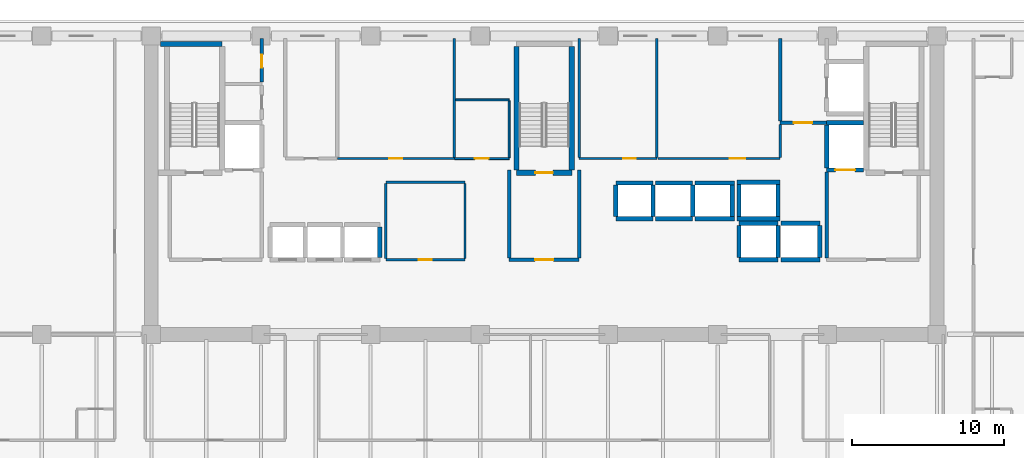
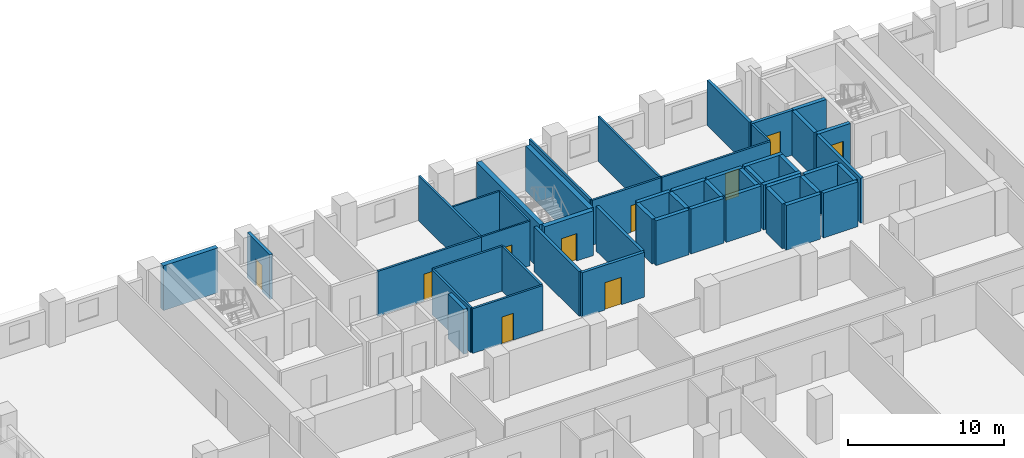
# One storey, part 7 of 14: 50 walls, 10 doors, 10 openings.
"""IFC4 building model written with IfcOpenShell, lengths in metres."""

import ifcopenshell
import ifcopenshell.guid

model = None  # the IFC model being written
_history = None  # IfcOwnerHistory: only IFC2X3 demands one
_inside = {}  # id of a spatial element -> (the spatial element, [elements in it])
_under = {}  # id of a project, library or spatial element -> (it, [spatial elements below it])
_declared = {}  # id of a project -> (the project, [libraries it declares])
_typed = {}  # id of a type object -> (the type object, [elements of that type])
_made_of = {}  # id of a material, layer set ... -> (it, [elements and type objects made of it])


def new_model(schema):
    """Start an empty IFC model of exactly this schema.

    Asked for "IFC4X3", IfcOpenShell would pick the latest addendum, in which some entities
    have other attributes; the version numbers below select the first issue.
    IFC2X3 requires an IfcOwnerHistory on every rooted entity: one is made here for all.
    """
    global model, _history
    if schema == "IFC4X3":
        model = ifcopenshell.file(schema_version=(4, 3, 0, 0))
    else:
        model = ifcopenshell.file(schema=schema)
    _inside.clear()
    _under.clear()
    _declared.clear()
    _typed.clear()
    _made_of.clear()
    _history = None
    if model.schema == "IFC2X3":
        org = make("IfcOrganization", Name="unknown")
        user = make(
            "IfcPersonAndOrganization",
            ThePerson=make("IfcPerson", FamilyName="unknown"),
            TheOrganization=org,
        )
        app = make(
            "IfcApplication",
            ApplicationDeveloper=org,
            Version="unknown",
            ApplicationFullName="unknown",
            ApplicationIdentifier="unknown",
        )
        _history = make(
            "IfcOwnerHistory",
            OwningUser=user,
            OwningApplication=app,
            ChangeAction="ADDED",
            CreationDate=0,
        )
    return model


def make(cls, **values):
    """One entity of the class cls with the attributes given. An attribute that is None is left unset."""
    return model.create_entity(
        cls, **{name: value for name, value in values.items() if value is not None}
    )


def rooted(cls, **values):
    """An entity with a GlobalId (a new one), such as an element, a storey or a relation."""
    return make(cls, GlobalId=ifcopenshell.guid.new(), OwnerHistory=_history, **values)


def si_unit(unit_type, name, prefix=None):
    """IfcSIUnit, for example si_unit("LENGTHUNIT", "METRE", prefix="MILLI")."""
    return make("IfcSIUnit", UnitType=unit_type, Prefix=prefix, Name=name)


def assignment(units):
    """IfcUnitAssignment: the units of a project."""
    return None if units is None else make("IfcUnitAssignment", Units=units)


def point(xyz):
    """IfcCartesianPoint."""
    return None if xyz is None else make("IfcCartesianPoint", Coordinates=xyz)


def direction(xyz):
    """IfcDirection."""
    return None if xyz is None else make("IfcDirection", DirectionRatios=xyz)


def frame(location, z_axis=None, x_axis=None):
    """IfcAxis2Placement3D, a coordinate frame: its origin and axes. An axis left out is left unset."""
    return make(
        "IfcAxis2Placement3D",
        Location=point(location),
        Axis=direction(z_axis),
        RefDirection=direction(x_axis),
    )


def frame_2d(location, x_axis=None):
    """IfcAxis2Placement2D, a coordinate frame in the plane: its origin and x axis."""
    return make(
        "IfcAxis2Placement2D", Location=point(location), RefDirection=direction(x_axis)
    )


def origin():
    """The frame at (0, 0, 0) with its axes left unset."""
    return frame((0.0, 0.0, 0.0))


def place(relative_to, where):
    """IfcLocalPlacement: puts the frame where relative to a parent placement (None: the world)."""
    return make(
        "IfcLocalPlacement", PlacementRelTo=relative_to, RelativePlacement=where
    )


def context(
    kind, dimensions, precision=None, world=None, true_north=None, identifier=None
):
    """IfcGeometricRepresentationContext, for example the 3D "Model" context."""
    return make(
        "IfcGeometricRepresentationContext",
        ContextIdentifier=identifier,
        ContextType=kind,
        CoordinateSpaceDimension=dimensions,
        Precision=precision,
        WorldCoordinateSystem=world,
        TrueNorth=true_north,
    )


def subcontext(parent, identifier, kind, view, scale=None):
    """IfcGeometricRepresentationSubContext, for example "Body" below "Model"."""
    return make(
        "IfcGeometricRepresentationSubContext",
        ContextIdentifier=identifier,
        ContextType=kind,
        ParentContext=parent,
        TargetScale=scale,
        TargetView=view,
    )


def project(units=None, contexts=None):
    """IfcProject with its units and contexts."""
    return rooted(
        "IfcProject",
        Name="project",
        RepresentationContexts=contexts,
        UnitsInContext=assignment(units),
    )


def spatial(cls, under=None, at=None, **own):
    """A site, building, storey or space (cls), placed at a placement, below another one or the project."""
    s = rooted(cls, ObjectPlacement=at, **own)
    if under is not None:
        _under.setdefault(under.id(), (under, []))[1].append(s)
    return s


def profile(cls, at=None, kind="AREA", **sizes):
    """A parametric profile (cls). Its sizes go by their IFC names, for example OverallWidth=200.0."""
    return make(cls, ProfileType=kind, Position=at, **sizes)


def rectangle(**sizes):
    """IfcRectangleProfileDef."""
    return profile("IfcRectangleProfileDef", **sizes)


def extrude(swept, where, along, depth):
    """IfcExtrudedAreaSolid: the profile swept, set in the frame where, extruded along a direction by depth."""
    return make(
        "IfcExtrudedAreaSolid",
        SweptArea=swept,
        Position=where,
        ExtrudedDirection=direction(along),
        Depth=depth,
    )


def shape(context_of_items, identifier, shape_type, items):
    """IfcShapeRepresentation: the items that make up one representation, for example the "Body"."""
    return make(
        "IfcShapeRepresentation",
        ContextOfItems=context_of_items,
        RepresentationIdentifier=identifier,
        RepresentationType=shape_type,
        Items=items,
    )


def material(Name=None, Category=None):
    """IfcMaterial."""
    return make("IfcMaterial", Name=Name, Category=Category)


def layer(
    of_material, thickness, ventilated=None, Name=None, Category=None, Priority=None
):
    """IfcMaterialLayer: one layer of a wall or slab, of a material (None: an air gap)."""
    return make(
        "IfcMaterialLayer",
        Material=of_material,
        LayerThickness=thickness,
        IsVentilated=ventilated,
        Name=Name,
        Category=Category,
        Priority=Priority,
    )


def layer_set(layers, Name=None):
    """IfcMaterialLayerSet."""
    return make("IfcMaterialLayerSet", MaterialLayers=layers, LayerSetName=Name)


def made_of(thing, what):
    """Note that an element or type object is made of a material, layer set ...; save() writes the relation."""
    if what is not None:
        _made_of.setdefault(what.id(), (what, []))[1].append(thing)
    return thing


def type_object(cls, material=None, **own):
    """A type object (cls), such as IfcWallType, which elements share."""
    return made_of(rooted(cls, **own), material)


def element(
    cls,
    number,
    at=None,
    inside=None,
    cuts=None,
    type_object=None,
    material=None,
    context=None,
    identifier="Body",
    shape_type=None,
    held_by="IfcProductDefinitionShape",
    body=None,
    shapes=None,
    **own,
):
    """One element of the class cls, such as IfcWall. Its Tag is "e" and its number.

    at: its placement. inside: the storey or other place that contains it. cuts: it is an
    opening in that element (IfcRelVoidsElement). A single representation is given by context,
    identifier, shape_type and body (its items); several are given by shapes. held_by: the class
    of the entity that holds the representations. save() writes the other relations.
    """
    e = rooted(cls, Tag="e%d" % number, ObjectPlacement=at, **own)
    if body is not None:
        shapes = [shape(context, identifier, shape_type, body)]
    if shapes is not None:
        e.Representation = make(held_by, Representations=shapes)
    if inside is not None:
        _inside.setdefault(inside.id(), (inside, []))[1].append(e)
    if cuts is not None:
        rooted(
            "IfcRelVoidsElement", RelatingBuildingElement=cuts, RelatedOpeningElement=e
        )
    if type_object is not None:
        _typed.setdefault(type_object.id(), (type_object, []))[1].append(e)
    return made_of(e, material)


def fill(opening, filler):
    """IfcRelFillsElement: the door or window that sits in an opening."""
    return rooted(
        "IfcRelFillsElement",
        RelatingOpeningElement=opening,
        RelatedBuildingElement=filler,
    )


def aggregate(whole, parts):
    """IfcRelAggregates: a whole, such as a stair, and the parts it consists of."""
    return rooted("IfcRelAggregates", RelatingObject=whole, RelatedObjects=parts)


def save(model, path):
    """Write the relations noted so far, then the file.

    IfcRelAggregates (storeys below a building ...), IfcRelContainedInSpatialStructure (elements
    in a storey), IfcRelDefinesByType, IfcRelAssociatesMaterial and IfcRelDeclares: one each for
    every whole, place, type object, material and project.
    """
    for whole, parts in _under.values():
        aggregate(whole, parts)
    for where, things in _inside.values():
        rooted(
            "IfcRelContainedInSpatialStructure",
            RelatedElements=things,
            RelatingStructure=where,
        )
    for kind, things in _typed.values():
        rooted("IfcRelDefinesByType", RelatedObjects=things, RelatingType=kind)
    for what, things in _made_of.values():
        rooted("IfcRelAssociatesMaterial", RelatedObjects=things, RelatingMaterial=what)
    for by, libraries in _declared.values():
        rooted("IfcRelDeclares", RelatingContext=by, RelatedDefinitions=libraries)
    model.write(path)


model = new_model("IFC4")

# Units and contexts
model_context = context("Model", 3, precision=1e-05, world=origin(), true_north=direction((0.0, 1.0)))
body_context = subcontext(model_context, "Body", "Model", "MODEL_VIEW")
ifc_project = project(units=[si_unit("LENGTHUNIT", "METRE"), si_unit("AREAUNIT", "SQUARE_METRE"), si_unit("VOLUMEUNIT", "CUBIC_METRE"), si_unit("PLANEANGLEUNIT", "RADIAN"), si_unit("MASSUNIT", "GRAM", prefix="KILO")], contexts=[model_context])

# Site, building, storey
site_placement = place(None, origin())
site = spatial("IfcSite", under=ifc_project, at=site_placement, CompositionType="ELEMENT")
building_placement = place(site_placement, origin())
building = spatial("IfcBuilding", under=site, at=building_placement, Name="Kaelvorn Grand Hotel", CompositionType="ELEMENT")
storey_placement = place(building_placement, frame((0.0, 0.0, 85.550048828125)))
storey = spatial("IfcBuildingStorey", under=building, at=storey_placement, Name="L19", CompositionType="ELEMENT", Elevation=85.550048828125)

# Wall, opening, door
ifc_material_1 = material(Name="Moisture-Resistant Tile & Stud Board")
ifc_layer_1 = layer(ifc_material_1, 0.125)
ifc_layer_set_1 = layer_set([ifc_layer_1], Name="Moisture-Resistant Tile & Stud Board")
wall_type_1 = type_object("IfcWallType", Name="WL-PART-125-WET", PredefinedType="PARTITIONING", material=ifc_layer_set_1)
wall_1_placement = place(storey_placement, frame((36.110107421875, 40.949951171875, 0.0), z_axis=(0.0, 0.0, 1.0), x_axis=(1.0, 0.0, 0.0)))
wall_1 = element("IfcWall", 1, at=wall_1_placement, inside=storey, type_object=wall_type_1, Name="L19 Accessible WC S Partition", PredefinedType="PARTITIONING", context=body_context, shape_type="SweptSolid", body=[
    extrude(rectangle(XDim=3.58984375, YDim=0.125, at=frame_2d((1.794921875, 0.0))), origin(), (0.0, 0.0, 1.0), 3.510009765625),
])
opening_1_placement = place(wall_1_placement, frame((1.340087890625, 0.0, 0.0)))
opening_1 = element("IfcOpeningElement", 2, at=opening_1_placement, cuts=wall_1, Name="Opening DI4", PredefinedType="OPENING", context=body_context, shape_type="SweptSolid", body=[
    extrude(rectangle(XDim=0.89990234375, YDim=2.10009765625, at=frame_2d((0.449951171875, 1.050048828125))), frame((0.0, 0.072509765625, 0.0), z_axis=(0.0, -1.0, 0.0), x_axis=(1.0, 0.0, 0.0)), (0.0, 0.0, 1.0), 0.14501953125),
])
ifc_material_2 = material(Name="Timber Veneer Leaf", Category="wood")
door_type_1 = type_object("IfcDoorType", Name="DR-INT-BATH-900x2100", OperationType="NOTDEFINED", PredefinedType="DOOR", material=ifc_material_2)
door_1_placement = place(opening_1_placement, origin())
door_1 = element("IfcDoor", 3, at=door_1_placement, inside=storey, type_object=door_type_1, Name="L19 Accessible WC Door", OperationType="SINGLE_SWING_LEFT", OverallHeight=2.10009765625, OverallWidth=0.89990234375, PredefinedType="DOOR", context=body_context, shape_type="SweptSolid", body=[
    extrude(rectangle(XDim=0.89990234375, YDim=2.10009765625, at=frame_2d((0.449951171875, 1.050048828125))), frame((0.0, 0.02490234375, 0.0), z_axis=(0.0, -1.0, 0.0), x_axis=(1.0, 0.0, 0.0)), (0.0, 0.0, 1.0), 0.050048828125),
])
fill(opening_1, door_1)

# Walls
wall_2_placement = place(storey_placement, frame((36.179931640625, 44.800048828125, 0.0), z_axis=(0.0, 0.0, 1.0), x_axis=(1.0, 0.0, 0.0)))
element("IfcWall", 4, at=wall_2_placement, inside=storey, type_object=wall_type_1, Name="L19 Accessible WC N Partition", PredefinedType="PARTITIONING", context=body_context, shape_type="SweptSolid", body=[
    extrude(rectangle(XDim=3.52001953125, YDim=0.125, at=frame_2d((1.760009765625, 0.0))), origin(), (0.0, 0.0, 1.0), 3.510009765625),
])
wall_3_placement = place(storey_placement, frame((39.699951171875, 41.017578125, 0.0), z_axis=(0.0, 0.0, 1.0), x_axis=(0.0, 1.0, 0.0)))
element("IfcWall", 5, at=wall_3_placement, inside=storey, type_object=wall_type_1, Name="L19 Accessible WC E Partition", PredefinedType="PARTITIONING", context=body_context, shape_type="SweptSolid", body=[
    extrude(rectangle(XDim=3.71484375, YDim=0.125, at=frame_2d((1.857421875, 0.0))), origin(), (0.0, 0.0, 1.0), 3.510009765625),
])

# Wall, opening, door
ifc_material_3 = material(Name="Acoustic Gypsum & Stud Partition")
ifc_layer_2 = layer(ifc_material_3, 0.14990234375)
ifc_layer_set_2 = layer_set([ifc_layer_2], Name="Acoustic Gypsum & Stud Partition")
wall_type_2 = type_object("IfcWallType", Name="WL-PART-150-EI60", PredefinedType="PARTITIONING", material=ifc_layer_set_2)
wall_4_placement = place(storey_placement, frame((31.60009765625, 34.300048828125, 0.0), z_axis=(0.0, 0.0, 1.0), x_axis=(1.0, 0.0, 0.0)))
wall_4 = element("IfcWall", 6, at=wall_4_placement, inside=storey, type_object=wall_type_2, Name="L19 Core Telecoms & BMS Server Room S Partition", PredefinedType="PARTITIONING", context=body_context, shape_type="SweptSolid", body=[
    extrude(rectangle(XDim=5.199951171875, YDim=0.14990234375, at=frame_2d((2.60009765625, 0.0))), origin(), (0.0, 0.0, 1.0), 3.510009765625),
])
opening_2_placement = place(wall_4_placement, frame((2.175048828125, 0.0, 0.0)))
opening_2 = element("IfcOpeningElement", 7, at=opening_2_placement, cuts=wall_4, Name="Opening DI7", PredefinedType="OPENING", context=body_context, shape_type="SweptSolid", body=[
    extrude(rectangle(XDim=0.85009765625, YDim=2.10009765625, at=frame_2d((0.425048828125, 1.050048828125))), frame((0.0, 0.0849609375, 0.0), z_axis=(0.0, -1.0, 0.0), x_axis=(1.0, 0.0, 0.0)), (0.0, 0.0, 1.0), 0.169921875),
])
ifc_material_4 = material(Name="Powder-Coated Steel Leaf", Category="steel")
door_type_2 = type_object("IfcDoorType", Name="DR-INT-RISER-850x2100", OperationType="NOTDEFINED", PredefinedType="DOOR", material=ifc_material_4)
door_2_placement = place(opening_2_placement, origin())
door_2 = element("IfcDoor", 8, at=door_2_placement, inside=storey, type_object=door_type_2, Name="L19 Core Telecoms & BMS Server Room Door", OperationType="SINGLE_SWING_RIGHT", OverallHeight=2.10009765625, OverallWidth=0.85009765625, PredefinedType="DOOR", context=body_context, shape_type="SweptSolid", body=[
    extrude(rectangle(XDim=0.85009765625, YDim=2.10009765625, at=frame_2d((0.425048828125, 1.050048828125))), frame((0.0, 0.02490234375, 0.0), z_axis=(0.0, -1.0, 0.0), x_axis=(1.0, 0.0, 0.0)), (0.0, 0.0, 1.0), 0.050048828125),
])
fill(opening_2, door_2)

# Walls
wall_5_placement = place(storey_placement, frame((31.60009765625, 39.39990234375, 0.0), z_axis=(0.0, 0.0, 1.0), x_axis=(1.0, 0.0, 0.0)))
element("IfcWall", 9, at=wall_5_placement, inside=storey, type_object=wall_type_2, Name="L19 Core Telecoms & BMS Server Room N Partition", PredefinedType="PARTITIONING", context=body_context, shape_type="SweptSolid", body=[
    extrude(rectangle(XDim=5.199951171875, YDim=0.14990234375, at=frame_2d((2.60009765625, 0.0))), origin(), (0.0, 0.0, 1.0), 3.510009765625),
])
for number, where, z_axis, x_axis, name in (
    (10, (31.60009765625, 34.3798828125, 0.0), (0.0, 0.0, 1.0), (0.0, 1.0, 0.0), "L19 Core Telecoms & BMS Server Room W Partition"),
    (11, (36.800048828125, 34.3798828125, 0.0), (0.0, 0.0, 1.0), (0.0, 1.0, 0.0), "L19 Core Telecoms & BMS Server Room E Partition"),
):
    element("IfcWall", number, at=place(storey_placement, frame(where, z_axis=z_axis, x_axis=x_axis)), inside=storey, type_object=wall_type_2, Name=name, PredefinedType="PARTITIONING", context=body_context, shape_type="SweptSolid", body=[
        extrude(rectangle(XDim=4.940185546875, YDim=0.14990234375, at=frame_2d((2.47021484375, 0.0))), origin(), (0.0, 0.0, 1.0), 3.510009765625),
    ])

# Wall, opening, door
wall_6_placement = place(storey_placement, frame((28.409912109375, 40.949951171875, 0.0), z_axis=(0.0, 0.0, 1.0), x_axis=(1.0, 0.0, 0.0)))
wall_6 = element("IfcWall", 12, at=wall_6_placement, inside=storey, type_object=wall_type_2, Name="L19 Housekeeping & Linen Room S Partition", PredefinedType="PARTITIONING", context=body_context, shape_type="SweptSolid", body=[
    extrude(rectangle(XDim=7.690185546875, YDim=0.14990234375, at=frame_2d((3.84521484375, 0.0))), origin(), (0.0, 0.0, 1.0), 3.510009765625),
])
opening_3_placement = place(wall_6_placement, frame((3.4150390625, 0.0, 0.0)))
opening_3 = element("IfcOpeningElement", 13, at=opening_3_placement, cuts=wall_6, Name="Opening DI7", PredefinedType="OPENING", context=body_context, shape_type="SweptSolid", body=[
    extrude(rectangle(XDim=0.85009765625, YDim=2.10009765625, at=frame_2d((0.425048828125, 1.050048828125))), frame((0.0, 0.0849609375, 0.0), z_axis=(0.0, -1.0, 0.0), x_axis=(1.0, 0.0, 0.0)), (0.0, 0.0, 1.0), 0.169921875),
])
door_3_placement = place(opening_3_placement, origin())
door_3 = element("IfcDoor", 14, at=door_3_placement, inside=storey, type_object=door_type_2, Name="L19 Housekeeping & Linen Room Door", OperationType="SINGLE_SWING_RIGHT", OverallHeight=2.10009765625, OverallWidth=0.85009765625, PredefinedType="DOOR", context=body_context, shape_type="SweptSolid", body=[
    extrude(rectangle(XDim=0.85009765625, YDim=2.10009765625, at=frame_2d((0.425048828125, 1.050048828125))), frame((0.0, 0.02490234375, 0.0), z_axis=(0.0, -1.0, 0.0), x_axis=(1.0, 0.0, 0.0)), (0.0, 0.0, 1.0), 0.050048828125),
])
fill(opening_3, door_3)

# Wall
wall_7_placement = place(storey_placement, frame((36.10009765625, 41.030029296875, 0.0), z_axis=(0.0, 0.0, 1.0), x_axis=(0.0, 1.0, 0.0)))
element("IfcWall", 15, at=wall_7_placement, inside=storey, type_object=wall_type_2, Name="L19 Housekeeping & Linen Room E Partition", PredefinedType="PARTITIONING", context=body_context, shape_type="SweptSolid", body=[
    extrude(rectangle(XDim=7.820068359375, YDim=0.14990234375, at=frame_2d((3.91015625, 0.0))), origin(), (0.0, 0.0, 1.0), 3.510009765625),
])

# Wall, opening, door
wall_8_placement = place(storey_placement, frame((44.300048828125, 40.949951171875, 0.0), z_axis=(0.0, 0.0, 1.0), x_axis=(1.0, 0.0, 0.0)))
wall_8 = element("IfcWall", 16, at=wall_8_placement, inside=storey, type_object=wall_type_2, Name="L19 Laundry Chute Vestibule S Partition", PredefinedType="PARTITIONING", context=body_context, shape_type="SweptSolid", body=[
    extrude(rectangle(XDim=5.099853515625, YDim=0.14990234375, at=frame_2d((2.5498046875, 0.0))), origin(), (0.0, 0.0, 1.0), 3.510009765625),
])
opening_4_placement = place(wall_8_placement, frame((2.875, 0.0, 0.0)))
opening_4 = element("IfcOpeningElement", 17, at=opening_4_placement, cuts=wall_8, Name="Opening DI7", PredefinedType="OPENING", context=body_context, shape_type="SweptSolid", body=[
    extrude(rectangle(XDim=0.85009765625, YDim=2.10009765625, at=frame_2d((0.425048828125, 1.050048828125))), frame((0.0, 0.0849609375, 0.0), z_axis=(0.0, -1.0, 0.0), x_axis=(1.0, 0.0, 0.0)), (0.0, 0.0, 1.0), 0.169921875),
])
door_4_placement = place(opening_4_placement, origin())
door_4 = element("IfcDoor", 18, at=door_4_placement, inside=storey, type_object=door_type_2, Name="L19 Laundry Chute Vestibule Door", OperationType="SINGLE_SWING_RIGHT", OverallHeight=2.10009765625, OverallWidth=0.85009765625, PredefinedType="DOOR", context=body_context, shape_type="SweptSolid", body=[
    extrude(rectangle(XDim=0.85009765625, YDim=2.10009765625, at=frame_2d((0.425048828125, 1.050048828125))), frame((0.0, 0.02490234375, 0.0), z_axis=(0.0, -1.0, 0.0), x_axis=(1.0, 0.0, 0.0)), (0.0, 0.0, 1.0), 0.050048828125),
])
fill(opening_4, door_4)

# Walls
for number, where, z_axis, x_axis, name in (
    (19, (44.300048828125, 41.030029296875, 0.0), (0.0, 0.0, 1.0), (0.0, 1.0, 0.0), "L19 Laundry Chute Vestibule W Partition"),
    (20, (49.39990234375, 41.030029296875, 0.0), (0.0, 0.0, 1.0), (0.0, 1.0, 0.0), "L19 Laundry Chute Vestibule E Partition"),
):
    element("IfcWall", number, at=place(storey_placement, frame(where, z_axis=z_axis, x_axis=x_axis)), inside=storey, type_object=wall_type_2, Name=name, PredefinedType="PARTITIONING", context=body_context, shape_type="SweptSolid", body=[
        extrude(rectangle(XDim=7.820068359375, YDim=0.14990234375, at=frame_2d((3.91015625, 0.0))), origin(), (0.0, 0.0, 1.0), 3.510009765625),
    ])

# Wall, opening, door
wall_9_placement = place(storey_placement, frame((49.47998046875, 40.949951171875, 0.0), z_axis=(0.0, 0.0, 1.0), x_axis=(1.0, 0.0, 0.0)))
wall_9 = element("IfcWall", 21, at=wall_9_placement, inside=storey, type_object=wall_type_2, Name="L19 Butler Servery Pantry S Partition", PredefinedType="PARTITIONING", context=body_context, shape_type="SweptSolid", body=[
    extrude(rectangle(XDim=8.02001953125, YDim=0.14990234375, at=frame_2d((4.010009765625, 0.0))), origin(), (0.0, 0.0, 1.0), 3.510009765625),
])
opening_5_placement = place(wall_9_placement, frame((4.719970703125, 0.0, 0.0)))
opening_5 = element("IfcOpeningElement", 22, at=opening_5_placement, cuts=wall_9, Name="Opening DI3", PredefinedType="OPENING", context=body_context, shape_type="SweptSolid", body=[
    extrude(rectangle(XDim=1.0, YDim=2.14990234375, at=frame_2d((0.5, 1.074951171875))), frame((0.0, 0.0849609375, 0.0), z_axis=(0.0, -1.0, 0.0), x_axis=(1.0, 0.0, 0.0)), (0.0, 0.0, 1.0), 0.169921875),
])
ifc_material_5 = material(Name="Timber Veneer Fire Leaf", Category="wood")
door_type_3 = type_object("IfcDoorType", Name="DR-INT-GUEST-1000x2150", OperationType="NOTDEFINED", PredefinedType="DOOR", material=ifc_material_5)
door_5_placement = place(opening_5_placement, origin())
door_5 = element("IfcDoor", 23, at=door_5_placement, inside=storey, type_object=door_type_3, Name="L19 Butler Servery Pantry Door", OperationType="SINGLE_SWING_LEFT", OverallHeight=2.14990234375, OverallWidth=1.0, PredefinedType="DOOR", context=body_context, shape_type="SweptSolid", body=[
    extrude(rectangle(XDim=1.0, YDim=2.14990234375, at=frame_2d((0.5, 1.074951171875))), frame((0.0, 0.02490234375, 0.0), z_axis=(0.0, -1.0, 0.0), x_axis=(1.0, 0.0, 0.0)), (0.0, 0.0, 1.0), 0.050048828125),
])
fill(opening_5, door_5)

# Walls
wall_10_placement = place(storey_placement, frame((57.5, 41.030029296875, 0.0), z_axis=(0.0, 0.0, 1.0), x_axis=(0.0, 1.0, 0.0)))
element("IfcWall", 24, at=wall_10_placement, inside=storey, type_object=wall_type_2, Name="L19 Butler Servery Pantry E Partition", PredefinedType="PARTITIONING", context=body_context, shape_type="SweptSolid", body=[
    extrude(rectangle(XDim=2.155029296875, YDim=0.14990234375, at=frame_2d((1.07763671875, 0.0))), origin(), (0.0, 0.0, 1.0), 3.510009765625),
])
ifc_material_6 = material(Name="Concrete C40/50", Category="concrete")
ifc_layer_3 = layer(ifc_material_6, 0.219970703125)
ifc_layer_set_3 = layer_set([ifc_layer_3], Name="Concrete C40/50")
wall_type_3 = type_object("IfcWallType", Name="WL-PART-220-EI120", PredefinedType="PARTITIONING", material=ifc_layer_set_3)
wall_11_placement = place(storey_placement, frame((60.550048828125, 34.4150390625, 0.0), z_axis=(0.0, 0.0, 1.0), x_axis=(0.0, 1.0, 0.0)))
element("IfcWall", 25, at=wall_11_placement, inside=storey, type_object=wall_type_3, Name="L19 Firefighting Lift Lobby 2 W Partition", PredefinedType="PARTITIONING", context=body_context, shape_type="SweptSolid", body=[
    extrude(rectangle(XDim=5.639892578125, YDim=0.219970703125, at=frame_2d((2.81982421875, 0.0))), origin(), (0.0, 0.0, 1.0), 3.510009765625),
])

# Wall, opening, door
wall_12_placement = place(storey_placement, frame((39.699951171875, 34.300048828125, 0.0), z_axis=(0.0, 0.0, 1.0), x_axis=(1.0, 0.0, 0.0)))
wall_12 = element("IfcWall", 26, at=wall_12_placement, inside=storey, type_object=wall_type_3, Name="L19 Central Stair Escape Vestibule S Partition", PredefinedType="PARTITIONING", context=body_context, shape_type="SweptSolid", body=[
    extrude(rectangle(XDim=4.60009765625, YDim=0.219970703125, at=frame_2d((2.300048828125, 0.0))), origin(), (0.0, 0.0, 1.0), 3.510009765625),
])
opening_6_placement = place(wall_12_placement, frame((1.699951171875, 0.0, 0.0)))
opening_6 = element("IfcOpeningElement", 27, at=opening_6_placement, cuts=wall_12, Name="Opening DI2", PredefinedType="OPENING", context=body_context, shape_type="SweptSolid", body=[
    extrude(rectangle(XDim=1.199951171875, YDim=2.14990234375, at=frame_2d((0.60009765625, 1.074951171875))), frame((0.0, 0.1201171875, 0.0), z_axis=(0.0, -1.0, 0.0), x_axis=(1.0, 0.0, 0.0)), (0.0, 0.0, 1.0), 0.239990234375),
])
door_type_4 = type_object("IfcDoorType", Name="DR-INT-FFLOB-1200x2150", OperationType="NOTDEFINED", PredefinedType="DOOR", material=ifc_material_5)
door_6_placement = place(opening_6_placement, origin())
door_6 = element("IfcDoor", 28, at=door_6_placement, inside=storey, type_object=door_type_4, Name="L19 Central Stair Escape Vestibule Door", OperationType="SINGLE_SWING_RIGHT", OverallHeight=2.14990234375, OverallWidth=1.199951171875, PredefinedType="DOOR", context=body_context, shape_type="SweptSolid", body=[
    extrude(rectangle(XDim=1.199951171875, YDim=2.14990234375, at=frame_2d((0.60009765625, 1.074951171875))), frame((0.0, 0.02490234375, 0.0), z_axis=(0.0, -1.0, 0.0), x_axis=(1.0, 0.0, 0.0)), (0.0, 0.0, 1.0), 0.050048828125),
])
fill(opening_6, door_6)

# Walls
for number, where, z_axis, x_axis, name in (
    (29, (39.699951171875, 34.4150390625, 0.0), (0.0, 0.0, 1.0), (0.0, 1.0, 0.0), "L19 Central Stair Escape Vestibule W Partition"),
    (30, (44.300048828125, 34.4150390625, 0.0), (0.0, 0.0, 1.0), (0.0, 1.0, 0.0), "L19 Central Stair Escape Vestibule E Partition"),
):
    element("IfcWall", number, at=place(storey_placement, frame(where, z_axis=z_axis, x_axis=x_axis)), inside=storey, type_object=wall_type_3, Name=name, PredefinedType="PARTITIONING", context=body_context, shape_type="SweptSolid", body=[
        extrude(rectangle(XDim=5.784912109375, YDim=0.219970703125, at=frame_2d((2.892578125, 0.0))), origin(), (0.0, 0.0, 1.0), 3.510009765625),
    ])

# Wall, opening, door
wall_13_placement = place(storey_placement, frame((57.5, 43.300048828125, 0.0), z_axis=(0.0, 0.0, 1.0), x_axis=(1.0, 0.0, 0.0)))
wall_13 = element("IfcWall", 31, at=wall_13_placement, inside=storey, type_object=wall_type_3, Name="L19 Service Lift Lobby S Partition", PredefinedType="PARTITIONING", context=body_context, shape_type="SweptSolid", body=[
    extrude(rectangle(XDim=3.0400390625, YDim=0.219970703125, at=frame_2d((1.52001953125, 0.0))), origin(), (0.0, 0.0, 1.0), 3.510009765625),
])
opening_7_placement = place(wall_13_placement, frame((0.89990234375, 0.0, 0.0)))
opening_7 = element("IfcOpeningElement", 32, at=opening_7_placement, cuts=wall_13, Name="Opening DI2", PredefinedType="OPENING", context=body_context, shape_type="SweptSolid", body=[
    extrude(rectangle(XDim=1.199951171875, YDim=2.14990234375, at=frame_2d((0.60009765625, 1.074951171875))), frame((0.0, 0.1201171875, 0.0), z_axis=(0.0, -1.0, 0.0), x_axis=(1.0, 0.0, 0.0)), (0.0, 0.0, 1.0), 0.239990234375),
])
door_7_placement = place(opening_7_placement, origin())
door_7 = element("IfcDoor", 33, at=door_7_placement, inside=storey, type_object=door_type_4, Name="L19 Service Lift Lobby Door", OperationType="SINGLE_SWING_LEFT", OverallHeight=2.14990234375, OverallWidth=1.199951171875, PredefinedType="DOOR", context=body_context, shape_type="SweptSolid", body=[
    extrude(rectangle(XDim=1.199951171875, YDim=2.14990234375, at=frame_2d((0.60009765625, 1.074951171875))), frame((0.0, 0.02490234375, 0.0), z_axis=(0.0, -1.0, 0.0), x_axis=(1.0, 0.0, 0.0)), (0.0, 0.0, 1.0), 0.050048828125),
])
fill(opening_7, door_7)

# Wall
wall_14_placement = place(storey_placement, frame((57.5, 43.4150390625, 0.0), z_axis=(0.0, 0.0, 1.0), x_axis=(0.0, 1.0, 0.0)))
element("IfcWall", 34, at=wall_14_placement, inside=storey, type_object=wall_type_3, Name="L19 Service Lift Lobby W Partition", PredefinedType="PARTITIONING", context=body_context, shape_type="SweptSolid", body=[
    extrude(rectangle(XDim=5.43505859375, YDim=0.219970703125, at=frame_2d((2.717529296875, 0.0))), origin(), (0.0, 0.0, 1.0), 3.510009765625),
])

# Wall, opening, door
wall_15_placement = place(storey_placement, frame((23.449951171875, 45.965087890625, 0.0), z_axis=(0.0, 0.0, 1.0), x_axis=(0.0, 1.0, 0.0)))
wall_15 = element("IfcWall", 35, at=wall_15_placement, inside=storey, type_object=wall_type_3, Name="L19 HV Electrical & Smoke Riser E Partition", PredefinedType="PARTITIONING", context=body_context, shape_type="SweptSolid", body=[
    extrude(rectangle(XDim=2.885009765625, YDim=0.219970703125, at=frame_2d((1.4423828125, 0.0))), origin(), (0.0, 0.0, 1.0), 3.510009765625),
])
opening_8_placement = place(wall_15_placement, frame((0.9599609375, 0.0, 0.0)))
opening_8 = element("IfcOpeningElement", 36, at=opening_8_placement, cuts=wall_15, Name="Opening DI7", PredefinedType="OPENING", context=body_context, shape_type="SweptSolid", body=[
    extrude(rectangle(XDim=0.85009765625, YDim=2.10009765625, at=frame_2d((0.425048828125, 1.050048828125))), frame((0.0, 0.1201171875, 0.0), z_axis=(0.0, -1.0, 0.0), x_axis=(1.0, 0.0, 0.0)), (0.0, 0.0, 1.0), 0.239990234375),
])
door_8_placement = place(opening_8_placement, origin())
door_8 = element("IfcDoor", 37, at=door_8_placement, inside=storey, type_object=door_type_2, Name="L19 HV Electrical & Smoke Riser Door", OperationType="SINGLE_SWING_LEFT", OverallHeight=2.10009765625, OverallWidth=0.85009765625, PredefinedType="DOOR", context=body_context, shape_type="SweptSolid", body=[
    extrude(rectangle(XDim=0.85009765625, YDim=2.10009765625, at=frame_2d((0.425048828125, 1.050048828125))), frame((0.0, 0.02490234375, 0.0), z_axis=(0.0, -1.0, 0.0), x_axis=(1.0, 0.0, 0.0)), (0.0, 0.0, 1.0), 0.050048828125),
])
fill(opening_8, door_8)

# Walls
ifc_material_7 = material(Name="Concrete C50/60", Category="concrete")
ifc_layer_4 = layer(ifc_material_7, 0.280029296875)
ifc_layer_set_4 = layer_set([ifc_layer_4], Name="Concrete C50/60")
wall_type_4 = type_object("IfcWallType", Name="WL-SHAFT-280-C50", PredefinedType="SHEAR", material=ifc_layer_set_4)
wall_16_placement = place(storey_placement, frame((31.199951171875, 34.445068359375, 0.0), z_axis=(0.0, 0.0, 1.0), x_axis=(0.0, 1.0, 0.0)))
element("IfcWall", 38, at=wall_16_placement, inside=storey, type_object=wall_type_4, Name="L19 Lift PL-L3 Shaft East Wall", PredefinedType="SHEAR", context=body_context, shape_type="SweptSolid", body=[
    extrude(rectangle(XDim=2.010009765625, YDim=0.280029296875, at=frame_2d((1.0048828125, 0.0))), origin(), (0.0, 0.0, 1.0), 3.510009765625),
])
for number, where, z_axis, x_axis, name in (
    (39, (46.699951171875, 37.0, 0.0), (0.0, 0.0, 1.0), (1.0, 0.0, 0.0), "L19 Lift SL-1 Shaft South Wall"),
    (40, (46.699951171875, 39.35009765625, 0.0), (0.0, 0.0, 1.0), (1.0, 0.0, 0.0), "L19 Lift SL-1 Shaft North Wall"),
):
    element("IfcWall", number, at=place(storey_placement, frame(where, z_axis=z_axis, x_axis=x_axis)), inside=storey, type_object=wall_type_4, Name=name, PredefinedType="SHEAR", context=body_context, shape_type="SweptSolid", body=[
        extrude(rectangle(XDim=2.449951171875, YDim=0.280029296875, at=frame_2d((1.22509765625, 0.0))), origin(), (0.0, 0.0, 1.0), 3.510009765625),
    ])
for number, where, z_axis, x_axis, name in (
    (41, (46.699951171875, 37.14501953125, 0.0), (0.0, 0.0, 1.0), (0.0, 1.0, 0.0), "L19 Lift SL-1 Shaft West Wall"),
    (42, (49.14990234375, 37.14501953125, 0.0), (0.0, 0.0, 1.0), (0.0, 1.0, 0.0), "L19 Lift SL-1 Shaft East Wall"),
):
    element("IfcWall", number, at=place(storey_placement, frame(where, z_axis=z_axis, x_axis=x_axis)), inside=storey, type_object=wall_type_4, Name=name, PredefinedType="SHEAR", context=body_context, shape_type="SweptSolid", body=[
        extrude(rectangle(XDim=2.06005859375, YDim=0.280029296875, at=frame_2d((1.030029296875, 0.0))), origin(), (0.0, 0.0, 1.0), 3.510009765625),
    ])
for number, where, z_axis, x_axis, name in (
    (43, (49.300048828125, 37.0, 0.0), (0.0, 0.0, 1.0), (1.0, 0.0, 0.0), "L19 Lift SL-2 Shaft South Wall"),
    (44, (49.300048828125, 39.35009765625, 0.0), (0.0, 0.0, 1.0), (1.0, 0.0, 0.0), "L19 Lift SL-2 Shaft North Wall"),
):
    element("IfcWall", number, at=place(storey_placement, frame(where, z_axis=z_axis, x_axis=x_axis)), inside=storey, type_object=wall_type_4, Name=name, PredefinedType="SHEAR", context=body_context, shape_type="SweptSolid", body=[
        extrude(rectangle(XDim=2.449951171875, YDim=0.280029296875, at=frame_2d((1.22509765625, 0.0))), origin(), (0.0, 0.0, 1.0), 3.510009765625),
    ])
wall_17_placement = place(storey_placement, frame((51.75, 37.14501953125, 0.0), z_axis=(0.0, 0.0, 1.0), x_axis=(0.0, 1.0, 0.0)))
element("IfcWall", 45, at=wall_17_placement, inside=storey, type_object=wall_type_4, Name="L19 Lift SL-2 Shaft East Wall", PredefinedType="SHEAR", context=body_context, shape_type="SweptSolid", body=[
    extrude(rectangle(XDim=2.06005859375, YDim=0.280029296875, at=frame_2d((1.030029296875, 0.0))), origin(), (0.0, 0.0, 1.0), 3.510009765625),
])
for number, where, z_axis, x_axis, name in (
    (46, (51.89990234375, 37.0, 0.0), (0.0, 0.0, 1.0), (1.0, 0.0, 0.0), "L19 Lift SL-3 Shaft South Wall"),
    (47, (51.89990234375, 39.35009765625, 0.0), (0.0, 0.0, 1.0), (1.0, 0.0, 0.0), "L19 Lift SL-3 Shaft North Wall"),
):
    element("IfcWall", number, at=place(storey_placement, frame(where, z_axis=z_axis, x_axis=x_axis)), inside=storey, type_object=wall_type_4, Name=name, PredefinedType="SHEAR", context=body_context, shape_type="SweptSolid", body=[
        extrude(rectangle(XDim=2.590087890625, YDim=0.280029296875, at=frame_2d((1.294921875, 0.0))), origin(), (0.0, 0.0, 1.0), 3.510009765625),
    ])
wall_18_placement = place(storey_placement, frame((54.35009765625, 37.14501953125, 0.0), z_axis=(0.0, 0.0, 1.0), x_axis=(0.0, 1.0, 0.0)))
element("IfcWall", 48, at=wall_18_placement, inside=storey, type_object=wall_type_4, Name="L19 Lift SL-3 Shaft East Wall", PredefinedType="SHEAR", context=body_context, shape_type="SweptSolid", body=[
    extrude(rectangle(XDim=2.06005859375, YDim=0.280029296875, at=frame_2d((1.030029296875, 0.0))), origin(), (0.0, 0.0, 1.0), 3.510009765625),
])
for number, where, z_axis, x_axis, name in (
    (49, (54.800048828125, 34.300048828125, 0.0), (0.0, 0.0, 1.0), (1.0, 0.0, 0.0), "L19 Lift OL-1 Shaft South Wall"),
    (50, (54.800048828125, 36.699951171875, 0.0), (0.0, 0.0, 1.0), (1.0, 0.0, 0.0), "L19 Lift OL-1 Shaft North Wall"),
):
    element("IfcWall", number, at=place(storey_placement, frame(where, z_axis=z_axis, x_axis=x_axis)), inside=storey, type_object=wall_type_4, Name=name, PredefinedType="SHEAR", context=body_context, shape_type="SweptSolid", body=[
        extrude(rectangle(XDim=2.550048828125, YDim=0.280029296875, at=frame_2d((1.27490234375, 0.0))), origin(), (0.0, 0.0, 1.0), 3.510009765625),
    ])
for number, where, z_axis, x_axis, name in (
    (51, (54.800048828125, 34.445068359375, 0.0), (0.0, 0.0, 1.0), (0.0, 1.0, 0.0), "L19 Lift OL-1 Shaft West Wall"),
    (52, (57.35009765625, 34.445068359375, 0.0), (0.0, 0.0, 1.0), (0.0, 1.0, 0.0), "L19 Lift OL-1 Shaft East Wall"),
):
    element("IfcWall", number, at=place(storey_placement, frame(where, z_axis=z_axis, x_axis=x_axis)), inside=storey, type_object=wall_type_4, Name=name, PredefinedType="SHEAR", context=body_context, shape_type="SweptSolid", body=[
        extrude(rectangle(XDim=2.10986328125, YDim=0.280029296875, at=frame_2d((1.054931640625, 0.0))), origin(), (0.0, 0.0, 1.0), 3.510009765625),
    ])
for number, where, z_axis, x_axis, name in (
    (53, (57.550048828125, 34.300048828125, 0.0), (0.0, 0.0, 1.0), (1.0, 0.0, 0.0), "L19 Lift OL-2 Shaft South Wall"),
    (54, (57.550048828125, 36.699951171875, 0.0), (0.0, 0.0, 1.0), (1.0, 0.0, 0.0), "L19 Lift OL-2 Shaft North Wall"),
):
    element("IfcWall", number, at=place(storey_placement, frame(where, z_axis=z_axis, x_axis=x_axis)), inside=storey, type_object=wall_type_4, Name=name, PredefinedType="SHEAR", context=body_context, shape_type="SweptSolid", body=[
        extrude(rectangle(XDim=2.550048828125, YDim=0.280029296875, at=frame_2d((1.27490234375, 0.0))), origin(), (0.0, 0.0, 1.0), 3.510009765625),
    ])
wall_19_placement = place(storey_placement, frame((60.10009765625, 34.445068359375, 0.0), z_axis=(0.0, 0.0, 1.0), x_axis=(0.0, 1.0, 0.0)))
element("IfcWall", 55, at=wall_19_placement, inside=storey, type_object=wall_type_4, Name="L19 Lift OL-2 Shaft East Wall", PredefinedType="SHEAR", context=body_context, shape_type="SweptSolid", body=[
    extrude(rectangle(XDim=2.10986328125, YDim=0.280029296875, at=frame_2d((1.054931640625, 0.0))), origin(), (0.0, 0.0, 1.0), 3.510009765625),
])
for number, where, z_axis, x_axis, name in (
    (56, (54.659912109375, 37.0, 0.0), (0.0, 0.0, 1.0), (1.0, 0.0, 0.0), "L19 Lift OL-3 Shaft South Wall"),
    (57, (54.659912109375, 39.39990234375, 0.0), (0.0, 0.0, 1.0), (1.0, 0.0, 0.0), "L19 Lift OL-3 Shaft North Wall"),
):
    element("IfcWall", number, at=place(storey_placement, frame(where, z_axis=z_axis, x_axis=x_axis)), inside=storey, type_object=wall_type_4, Name=name, PredefinedType="SHEAR", context=body_context, shape_type="SweptSolid", body=[
        extrude(rectangle(XDim=2.830078125, YDim=0.280029296875, at=frame_2d((1.4150390625, 0.0))), origin(), (0.0, 0.0, 1.0), 3.510009765625),
    ])
for number, where, z_axis, x_axis, name in (
    (58, (54.800048828125, 37.14501953125, 0.0), (0.0, 0.0, 1.0), (0.0, 1.0, 0.0), "L19 Lift OL-3 Shaft West Wall"),
    (59, (57.35009765625, 37.14501953125, 0.0), (0.0, 0.0, 1.0), (0.0, 1.0, 0.0), "L19 Lift OL-3 Shaft East Wall"),
):
    element("IfcWall", number, at=place(storey_placement, frame(where, z_axis=z_axis, x_axis=x_axis)), inside=storey, type_object=wall_type_4, Name=name, PredefinedType="SHEAR", context=body_context, shape_type="SweptSolid", body=[
        extrude(rectangle(XDim=2.10986328125, YDim=0.280029296875, at=frame_2d((1.054931640625, 0.0))), origin(), (0.0, 0.0, 1.0), 3.510009765625),
    ])

# Wall, opening, door
wall_20_placement = place(storey_placement, frame((60.550048828125, 40.199951171875, 0.0), z_axis=(0.0, 0.0, 1.0), x_axis=(1.0, 0.0, 0.0)))
wall_20 = element("IfcWall", 60, at=wall_20_placement, inside=storey, type_object=wall_type_4, Name="L19 Lift FFL2 Shaft South Wall", PredefinedType="SHEAR", context=body_context, shape_type="SweptSolid", body=[
    extrude(rectangle(XDim=2.4150390625, YDim=0.280029296875, at=frame_2d((1.20751953125, 0.0))), origin(), (0.0, 0.0, 1.0), 3.510009765625),
])
opening_9_placement = place(wall_20_placement, frame((0.574951171875, 0.0, 0.0)))
opening_9 = element("IfcOpeningElement", 61, at=opening_9_placement, cuts=wall_20, Name="Opening LD-FFL2", PredefinedType="OPENING", context=body_context, shape_type="SweptSolid", body=[
    extrude(rectangle(XDim=1.300048828125, YDim=2.300048828125, at=frame_2d((0.64990234375, 1.14990234375))), frame((0.0, 0.14990234375, 0.0), z_axis=(0.0, -1.0, 0.0), x_axis=(1.0, 0.0, 0.0)), (0.0, 0.0, 1.0), 0.300048828125),
])
ifc_material_8 = material(Name="Stainless Steel", Category="steel")
door_type_5 = type_object("IfcDoorType", Name="DR-LIFT-SERV-1300x2300", OperationType="DOUBLE_DOOR_SLIDING", PredefinedType="DOOR", material=ifc_material_8)
door_9_placement = place(opening_9_placement, origin())
door_9 = element("IfcDoor", 62, at=door_9_placement, inside=storey, type_object=door_type_5, Name="L19 Lift FFL2 Sliding Landing Door LD-FFL2", OperationType="DOUBLE_DOOR_SLIDING", OverallHeight=2.300048828125, OverallWidth=1.300048828125, PredefinedType="DOOR", context=body_context, shape_type="SweptSolid", body=[
    extrude(rectangle(XDim=1.300048828125, YDim=2.300048828125, at=frame_2d((0.64990234375, 1.14990234375))), frame((0.0, 0.02490234375, 0.0), z_axis=(0.0, -1.0, 0.0), x_axis=(1.0, 0.0, 0.0)), (0.0, 0.0, 1.0), 0.050048828125),
])
fill(opening_9, door_9)

# Walls
wall_21_placement = place(storey_placement, frame((60.550048828125, 43.300048828125, 0.0), z_axis=(0.0, 0.0, 1.0), x_axis=(1.0, 0.0, 0.0)))
element("IfcWall", 63, at=wall_21_placement, inside=storey, type_object=wall_type_4, Name="L19 Lift FFL2 Shaft North Wall", PredefinedType="SHEAR", context=body_context, shape_type="SweptSolid", body=[
    extrude(rectangle(XDim=2.4150390625, YDim=0.280029296875, at=frame_2d((1.20751953125, 0.0))), origin(), (0.0, 0.0, 1.0), 3.510009765625),
])
wall_22_placement = place(storey_placement, frame((60.550048828125, 40.344970703125, 0.0), z_axis=(0.0, 0.0, 1.0), x_axis=(0.0, 1.0, 0.0)))
element("IfcWall", 64, at=wall_22_placement, inside=storey, type_object=wall_type_4, Name="L19 Lift FFL2 Shaft West Wall", PredefinedType="SHEAR", context=body_context, shape_type="SweptSolid", body=[
    extrude(rectangle(XDim=2.81005859375, YDim=0.280029296875, at=frame_2d((1.405029296875, 0.0))), origin(), (0.0, 0.0, 1.0), 3.510009765625),
])
ifc_material_9 = material(Name="Concrete C60/75", Category="concrete")
ifc_layer_5 = layer(ifc_material_9, 0.35009765625)
ifc_layer_set_5 = layer_set([ifc_layer_5], Name="Concrete C60/75")
wall_type_5 = type_object("IfcWallType", Name="WL-SHAFT-350-C60", PredefinedType="SHEAR", material=ifc_layer_set_5)
wall_23_placement = place(storey_placement, frame((16.804931640625, 48.47509765625, 0.0), z_axis=(0.0, 0.0, 1.0), x_axis=(1.0, 0.0, 0.0)))
element("IfcWall", 65, at=wall_23_placement, inside=storey, type_object=wall_type_5, Name="L19 ST1 Stair Shaft North Wall", PredefinedType="SHEAR", context=body_context, shape_type="SweptSolid", body=[
    extrude(rectangle(XDim=4.050048828125, YDim=0.35009765625, at=frame_2d((2.02490234375, 0.0))), origin(), (0.0, 0.0, 1.0), 3.510009765625),
])

# Wall, opening, door
wall_24_placement = place(storey_placement, frame((40.18505859375, 40.02490234375, 0.0), z_axis=(0.0, 0.0, 1.0), x_axis=(1.0, 0.0, 0.0)))
wall_24 = element("IfcWall", 66, at=wall_24_placement, inside=storey, type_object=wall_type_5, Name="L19 ST2 Stair Shaft South Wall", PredefinedType="SHEAR", context=body_context, shape_type="SweptSolid", body=[
    extrude(rectangle(XDim=3.6298828125, YDim=0.35009765625, at=frame_2d((1.81494140625, 0.0))), origin(), (0.0, 0.0, 1.0), 3.510009765625),
])
opening_10_placement = place(wall_24_placement, frame((1.239990234375, 0.0, 0.0)))
opening_10 = element("IfcOpeningElement", 67, at=opening_10_placement, cuts=wall_24, Name="Opening DI1", PredefinedType="OPENING", context=body_context, shape_type="SweptSolid", body=[
    extrude(rectangle(XDim=1.14990234375, YDim=2.14990234375, at=frame_2d((0.574951171875, 1.074951171875))), frame((0.0, 0.18505859375, 0.0), z_axis=(0.0, -1.0, 0.0), x_axis=(1.0, 0.0, 0.0)), (0.0, 0.0, 1.0), 0.3701171875),
])
door_type_6 = type_object("IfcDoorType", Name="DR-INT-STAIR-1150x2150", OperationType="NOTDEFINED", PredefinedType="DOOR", material=ifc_material_5)
door_10_placement = place(opening_10_placement, origin())
door_10 = element("IfcDoor", 68, at=door_10_placement, inside=storey, type_object=door_type_6, Name="L19 ST2 Exit Stair Fire Door", OperationType="SINGLE_SWING_RIGHT", OverallHeight=2.14990234375, OverallWidth=1.14990234375, PredefinedType="DOOR", context=body_context, shape_type="SweptSolid", body=[
    extrude(rectangle(XDim=1.14990234375, YDim=2.14990234375, at=frame_2d((0.574951171875, 1.074951171875))), frame((0.0, 0.02490234375, 0.0), z_axis=(0.0, -1.0, 0.0), x_axis=(1.0, 0.0, 0.0)), (0.0, 0.0, 1.0), 0.050048828125),
])
fill(opening_10, door_10)

# Walls
for number, where, z_axis, x_axis, name in (
    (69, (40.18505859375, 40.205078125, 0.0), (0.0, 0.0, 1.0), (0.0, 1.0, 0.0), "L19 ST2 Stair Shaft West Wall"),
    (70, (43.81494140625, 40.205078125, 0.0), (0.0, 0.0, 1.0), (0.0, 1.0, 0.0), "L19 ST2 Stair Shaft East Wall"),
):
    element("IfcWall", number, at=place(storey_placement, frame(where, z_axis=z_axis, x_axis=x_axis)), inside=storey, type_object=wall_type_5, Name=name, PredefinedType="SHEAR", context=body_context, shape_type="SweptSolid", body=[
        extrude(rectangle(XDim=8.08984375, YDim=0.35009765625, at=frame_2d((4.044921875, 0.0))), origin(), (0.0, 0.0, 1.0), 3.510009765625),
    ])

save(model, "model.ifc")
